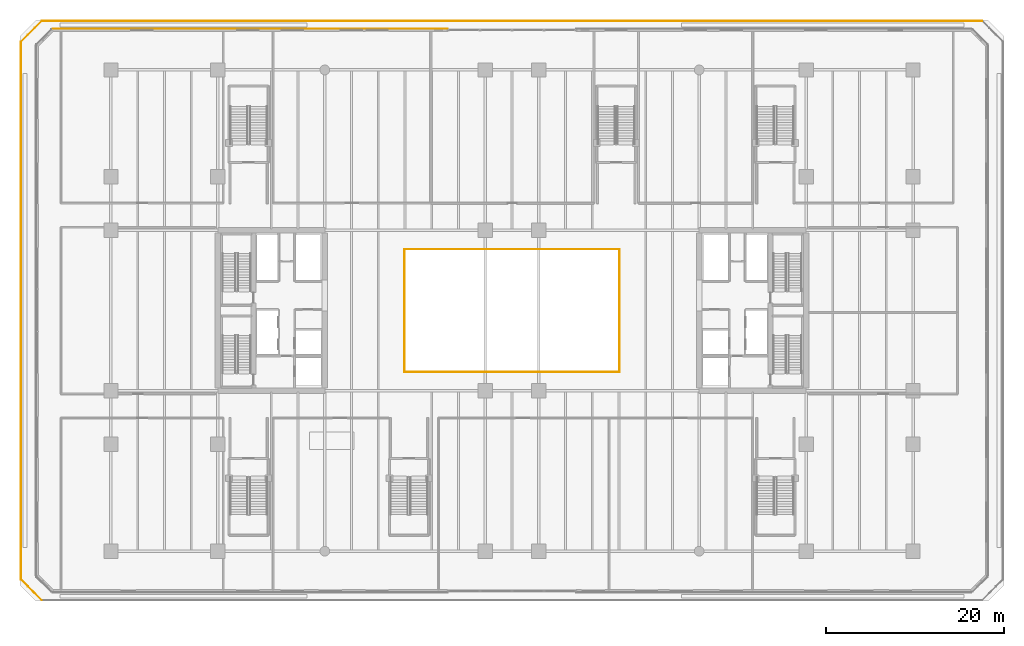
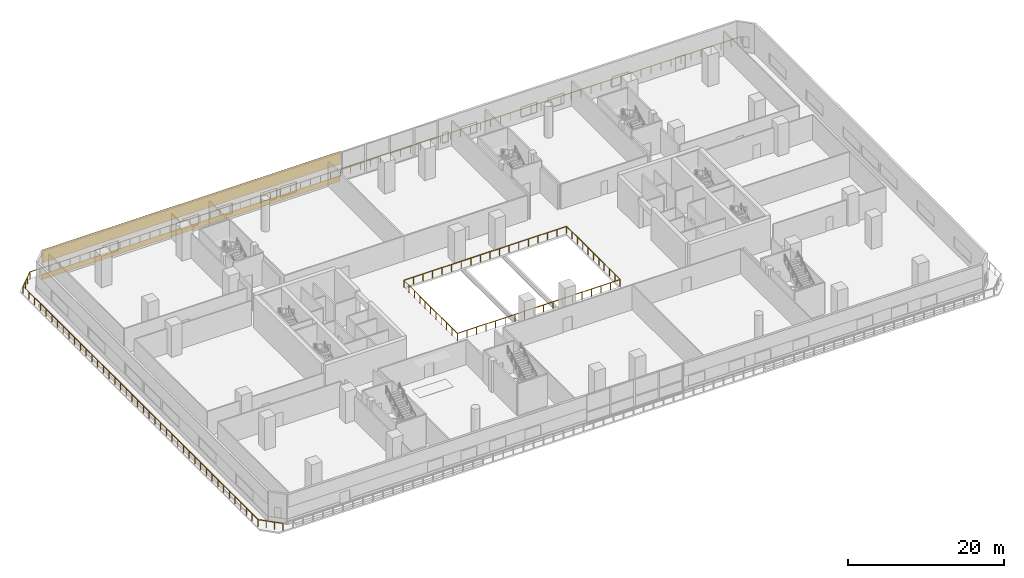
# One storey, part 23 of 27: 3 railings, 2 coverings.
"""IFC4 building model written with IfcOpenShell, lengths in metres."""

from ifc_helpers import new_model, si_unit, direction, frame, origin, origin_2d, place, context, subcontext, project, spatial, rectangle, extrude, material, layer, layer_set, type_object, element, save


model = new_model("IFC4")

# Units and contexts
model_context = context("Model", 3, precision=1e-05, world=origin(), true_north=direction((0.0, 1.0)))
body_context = subcontext(model_context, "Body", "Model", "MODEL_VIEW")
ifc_project = project(units=[si_unit("LENGTHUNIT", "METRE"), si_unit("AREAUNIT", "SQUARE_METRE"), si_unit("VOLUMEUNIT", "CUBIC_METRE"), si_unit("PLANEANGLEUNIT", "RADIAN"), si_unit("MASSUNIT", "GRAM", prefix="KILO")], contexts=[model_context])

# Site, building, storey
site_placement = place(None, origin())
site = spatial("IfcSite", under=ifc_project, at=site_placement, CompositionType="ELEMENT")
building_placement = place(site_placement, origin())
building = spatial("IfcBuilding", under=site, at=building_placement, Name="Tanjung Sevakor Pilgrim Tower", CompositionType="ELEMENT")
storey_placement = place(building_placement, frame((0.0, 0.0, 9.89990234375)))
storey = spatial("IfcBuildingStorey", under=building, at=storey_placement, Name="L03", CompositionType="ELEMENT", Elevation=9.89990234375)

# Coverings
ifc_material_1 = material(Name="Reconstructed Limestone Cladding", Category="masonry")
ifc_layer = layer(ifc_material_1, 0.044921875)
ifc_layer_set = layer_set([ifc_layer], Name="COV-CLAD-LIMESTONE")
covering_type = type_object("IfcCoveringType", Name="COV-CLAD-LIMESTONE", PredefinedType="CLADDING", material=ifc_layer_set)
covering_1_placement = place(storey_placement, frame((27.631103515625, 65.222412109375, 0.01025390625), z_axis=(0.0, 0.0, 1.0), x_axis=(-1.0, 0.0, 0.0)))
element("IfcCovering", 1, at=covering_1_placement, inside=storey, type_object=covering_type, Name="L03 Warm Limestone Sill Spandrel EW-L03-N2-1", PredefinedType="CLADDING", context=body_context, shape_type="SweptSolid", body=[
    extrude(rectangle(XDim=44.2578125, YDim=0.044921875, at=origin_2d()), origin(), (0.0, 0.0, 1.0), 0.840087890625),
])
covering_2_placement = place(storey_placement, frame((27.631103515625, 65.222412109375, 2.66015625), z_axis=(0.0, 0.0, 1.0), x_axis=(-1.0, 0.0, 0.0)))
element("IfcCovering", 2, at=covering_2_placement, inside=storey, type_object=covering_type, Name="L03 Warm Limestone Cornice Spandrel EW-L03-N2", PredefinedType="CLADDING", context=body_context, shape_type="SweptSolid", body=[
    extrude(rectangle(XDim=44.2978515625, YDim=0.044921875, at=origin_2d()), origin(), (0.0, 0.0, 1.0), 2.0),
])

# Railings
ifc_material_2 = material(Name="Laminated Glass and Aluminium", Category="aluminium")
railing_type_1 = type_object("IfcRailingType", Name="RL-BAL-BALUST", PredefinedType="BALUSTRADE", material=ifc_material_2)
railing_1_placement = place(storey_placement, frame((44.919921875, 26.719970703125, 0.0)))
element("IfcRailing", 3, at=railing_1_placement, inside=storey, type_object=railing_type_1, Name="L03 Void Opening Balustrade 1A", PredefinedType="BALUSTRADE", context=body_context, shape_type="SweptSolid", body=[
    extrude(rectangle(XDim=0.0479, YDim=0.0479), frame((0.0, 0.0, 1.1259765625), z_axis=(1.0, 0.0, 0.0), x_axis=(0.0, 1.0, 0.0)), (0.0, 0.0, 1.0), 24.16015625),
    extrude(rectangle(XDim=0.0479, YDim=0.0479), frame((24.16015625, 0.0, 1.1259765625), z_axis=(0.0, 1.0, 0.0), x_axis=(-1.0, 0.0, 0.0)), (0.0, 0.0, 1.0), 13.760009765625),
    extrude(rectangle(XDim=0.042, YDim=0.042), origin(), (0.0, 0.0, 1.0), 1.101806640625),
    extrude(rectangle(XDim=0.042, YDim=0.042), frame((1.421142578125, 0.0, 0.0)), (0.0, 0.0, 1.0), 1.101806640625),
    extrude(rectangle(XDim=0.042, YDim=0.042), frame((2.84228515625, 0.0, 0.0)), (0.0, 0.0, 1.0), 1.101806640625),
    extrude(rectangle(XDim=0.042, YDim=0.042), frame((4.263671875, 0.0, 0.0)), (0.0, 0.0, 1.0), 1.101806640625),
    extrude(rectangle(XDim=0.042, YDim=0.042), frame((5.684814453125, 0.0, 0.0)), (0.0, 0.0, 1.0), 1.101806640625),
    extrude(rectangle(XDim=0.042, YDim=0.042), frame((7.10595703125, 0.0, 0.0)), (0.0, 0.0, 1.0), 1.101806640625),
    extrude(rectangle(XDim=0.042, YDim=0.042), frame((8.527099609375, 0.0, 0.0)), (0.0, 0.0, 1.0), 1.101806640625),
    extrude(rectangle(XDim=0.042, YDim=0.042), frame((9.9482421875, 0.0, 0.0)), (0.0, 0.0, 1.0), 1.101806640625),
    extrude(rectangle(XDim=0.042, YDim=0.042), frame((11.369384765625, 0.0, 0.0)), (0.0, 0.0, 1.0), 1.101806640625),
    extrude(rectangle(XDim=0.042, YDim=0.042), frame((12.790771484375, 0.0, 0.0)), (0.0, 0.0, 1.0), 1.101806640625),
    extrude(rectangle(XDim=0.042, YDim=0.042), frame((14.2119140625, 0.0, 0.0)), (0.0, 0.0, 1.0), 1.101806640625),
    extrude(rectangle(XDim=0.042, YDim=0.042), frame((15.633056640625, 0.0, 0.0)), (0.0, 0.0, 1.0), 1.101806640625),
    extrude(rectangle(XDim=0.042, YDim=0.042), frame((17.05419921875, 0.0, 0.0)), (0.0, 0.0, 1.0), 1.101806640625),
    extrude(rectangle(XDim=0.042, YDim=0.042), frame((18.475341796875, 0.0, 0.0)), (0.0, 0.0, 1.0), 1.101806640625),
    extrude(rectangle(XDim=0.042, YDim=0.042), frame((19.896484375, 0.0, 0.0)), (0.0, 0.0, 1.0), 1.101806640625),
    extrude(rectangle(XDim=0.042, YDim=0.042), frame((21.31787109375, 0.0, 0.0)), (0.0, 0.0, 1.0), 1.101806640625),
    extrude(rectangle(XDim=0.042, YDim=0.042), frame((22.739013671875, 0.0, 0.0)), (0.0, 0.0, 1.0), 1.101806640625),
    extrude(rectangle(XDim=0.042, YDim=0.042), frame((24.16015625, 0.0, 0.0)), (0.0, 0.0, 1.0), 1.101806640625),
    extrude(rectangle(XDim=0.042, YDim=0.042), frame((24.16015625, 1.3759765625, 0.0)), (0.0, 0.0, 1.0), 1.101806640625),
    extrude(rectangle(XDim=0.042, YDim=0.042), frame((24.16015625, 2.751953125, 0.0)), (0.0, 0.0, 1.0), 1.101806640625),
    extrude(rectangle(XDim=0.042, YDim=0.042), frame((24.16015625, 4.1279296875, 0.0)), (0.0, 0.0, 1.0), 1.101806640625),
    extrude(rectangle(XDim=0.042, YDim=0.042), frame((24.16015625, 5.50390625, 0.0)), (0.0, 0.0, 1.0), 1.101806640625),
    extrude(rectangle(XDim=0.042, YDim=0.042), frame((24.16015625, 6.8798828125, 0.0)), (0.0, 0.0, 1.0), 1.101806640625),
    extrude(rectangle(XDim=0.042, YDim=0.042), frame((24.16015625, 8.256103515625, 0.0)), (0.0, 0.0, 1.0), 1.101806640625),
    extrude(rectangle(XDim=0.042, YDim=0.042), frame((24.16015625, 9.632080078125, 0.0)), (0.0, 0.0, 1.0), 1.101806640625),
    extrude(rectangle(XDim=0.042, YDim=0.042), frame((24.16015625, 11.008056640625, 0.0)), (0.0, 0.0, 1.0), 1.101806640625),
    extrude(rectangle(XDim=0.042, YDim=0.042), frame((24.16015625, 12.384033203125, 0.0)), (0.0, 0.0, 1.0), 1.101806640625),
    extrude(rectangle(XDim=0.042, YDim=0.042), frame((24.16015625, 13.760009765625, 0.0)), (0.0, 0.0, 1.0), 1.101806640625),
])
railing_2_placement = place(storey_placement, frame((69.080078125, 40.47998046875, 0.0)))
element("IfcRailing", 4, at=railing_2_placement, inside=storey, type_object=railing_type_1, Name="L03 Void Opening Balustrade 1B", PredefinedType="BALUSTRADE", context=body_context, shape_type="SweptSolid", body=[
    extrude(rectangle(XDim=0.0479, YDim=0.0479), frame((0.0, 0.0, 1.1259765625), z_axis=(-1.0, 0.0, 0.0), x_axis=(0.0, -1.0, 0.0)), (0.0, 0.0, 1.0), 24.16015625),
    extrude(rectangle(XDim=0.0479, YDim=0.0479), frame((-24.16015625, 0.0, 1.1259765625), z_axis=(0.0, -1.0, 0.0), x_axis=(1.0, 0.0, 0.0)), (0.0, 0.0, 1.0), 13.760009765625),
    extrude(rectangle(XDim=0.042, YDim=0.042), origin(), (0.0, 0.0, 1.0), 1.101806640625),
    extrude(rectangle(XDim=0.042, YDim=0.042), frame((-1.421142578125, 0.0, 0.0)), (0.0, 0.0, 1.0), 1.101806640625),
    extrude(rectangle(XDim=0.042, YDim=0.042), frame((-2.84228515625, 0.0, 0.0)), (0.0, 0.0, 1.0), 1.101806640625),
    extrude(rectangle(XDim=0.042, YDim=0.042), frame((-4.263671875, 0.0, 0.0)), (0.0, 0.0, 1.0), 1.101806640625),
    extrude(rectangle(XDim=0.042, YDim=0.042), frame((-5.684814453125, 0.0, 0.0)), (0.0, 0.0, 1.0), 1.101806640625),
    extrude(rectangle(XDim=0.042, YDim=0.042), frame((-7.10595703125, 0.0, 0.0)), (0.0, 0.0, 1.0), 1.101806640625),
    extrude(rectangle(XDim=0.042, YDim=0.042), frame((-8.527099609375, 0.0, 0.0)), (0.0, 0.0, 1.0), 1.101806640625),
    extrude(rectangle(XDim=0.042, YDim=0.042), frame((-9.9482421875, 0.0, 0.0)), (0.0, 0.0, 1.0), 1.101806640625),
    extrude(rectangle(XDim=0.042, YDim=0.042), frame((-11.369384765625, 0.0, 0.0)), (0.0, 0.0, 1.0), 1.101806640625),
    extrude(rectangle(XDim=0.042, YDim=0.042), frame((-12.790771484375, 0.0, 0.0)), (0.0, 0.0, 1.0), 1.101806640625),
    extrude(rectangle(XDim=0.042, YDim=0.042), frame((-14.2119140625, 0.0, 0.0)), (0.0, 0.0, 1.0), 1.101806640625),
    extrude(rectangle(XDim=0.042, YDim=0.042), frame((-15.633056640625, 0.0, 0.0)), (0.0, 0.0, 1.0), 1.101806640625),
    extrude(rectangle(XDim=0.042, YDim=0.042), frame((-17.05419921875, 0.0, 0.0)), (0.0, 0.0, 1.0), 1.101806640625),
    extrude(rectangle(XDim=0.042, YDim=0.042), frame((-18.475341796875, 0.0, 0.0)), (0.0, 0.0, 1.0), 1.101806640625),
    extrude(rectangle(XDim=0.042, YDim=0.042), frame((-19.896484375, 0.0, 0.0)), (0.0, 0.0, 1.0), 1.101806640625),
    extrude(rectangle(XDim=0.042, YDim=0.042), frame((-21.31787109375, 0.0, 0.0)), (0.0, 0.0, 1.0), 1.101806640625),
    extrude(rectangle(XDim=0.042, YDim=0.042), frame((-22.739013671875, 0.0, 0.0)), (0.0, 0.0, 1.0), 1.101806640625),
    extrude(rectangle(XDim=0.042, YDim=0.042), frame((-24.16015625, 0.0, 0.0)), (0.0, 0.0, 1.0), 1.101806640625),
    extrude(rectangle(XDim=0.042, YDim=0.042), frame((-24.16015625, -1.3759765625, 0.0)), (0.0, 0.0, 1.0), 1.101806640625),
    extrude(rectangle(XDim=0.042, YDim=0.042), frame((-24.16015625, -2.751953125, 0.0)), (0.0, 0.0, 1.0), 1.101806640625),
    extrude(rectangle(XDim=0.042, YDim=0.042), frame((-24.16015625, -4.1279296875, 0.0)), (0.0, 0.0, 1.0), 1.101806640625),
    extrude(rectangle(XDim=0.042, YDim=0.042), frame((-24.16015625, -5.50390625, 0.0)), (0.0, 0.0, 1.0), 1.101806640625),
    extrude(rectangle(XDim=0.042, YDim=0.042), frame((-24.16015625, -6.8798828125, 0.0)), (0.0, 0.0, 1.0), 1.101806640625),
    extrude(rectangle(XDim=0.042, YDim=0.042), frame((-24.16015625, -8.256103515625, 0.0)), (0.0, 0.0, 1.0), 1.101806640625),
    extrude(rectangle(XDim=0.042, YDim=0.042), frame((-24.16015625, -9.632080078125, 0.0)), (0.0, 0.0, 1.0), 1.101806640625),
    extrude(rectangle(XDim=0.042, YDim=0.042), frame((-24.16015625, -11.008056640625, 0.0)), (0.0, 0.0, 1.0), 1.101806640625),
    extrude(rectangle(XDim=0.042, YDim=0.042), frame((-24.16015625, -12.384033203125, 0.0)), (0.0, 0.0, 1.0), 1.101806640625),
    extrude(rectangle(XDim=0.042, YDim=0.042), frame((-24.16015625, -13.760009765625, 0.0)), (0.0, 0.0, 1.0), 1.101806640625),
])
ifc_material_3 = material(Name="Steel S355J2", Category="steel")
railing_type_2 = type_object("IfcRailingType", Name="RL-EXT-GUARD", PredefinedType="GUARDRAIL", material=ifc_material_3)
railing_3_placement = place(storey_placement, frame((109.758544921875, 66.10009765625, 0.0)))
element("IfcRailing", 5, at=railing_3_placement, inside=storey, type_object=railing_type_2, Name="L03 Terrace Perimeter Guardrail GR-PODTER-L03-2", PredefinedType="GUARDRAIL", context=body_context, shape_type="SweptSolid", body=[
    extrude(rectangle(XDim=0.0479, YDim=0.0479), frame((0.0, 0.0, 1.1259765625), z_axis=(-1.0, 0.0, 0.0), x_axis=(0.0, -1.0, 0.0)), (0.0, 0.0, 1.0), 105.51708984375),
    extrude(rectangle(XDim=0.0479, YDim=0.0479), frame((-105.51708984375, 0.0, 1.1259765625), z_axis=(-0.707106781187, -0.707106781187, 0.0), x_axis=(0.707106781187, -0.707106781187, 0.0)), (0.0, 0.0, 1.0), 3.3115234375),
    extrude(rectangle(XDim=0.0479, YDim=0.0479), frame((-107.858642578125, -2.341552734375, 1.1259765625), z_axis=(0.0, -1.0, 0.0), x_axis=(1.0, 0.0, 0.0)), (0.0, 0.0, 1.0), 60.317138671875),
    extrude(rectangle(XDim=0.0479, YDim=0.0479), frame((-107.858642578125, -62.65869140625, 1.1259765625), z_axis=(0.707143645185, -0.707069915266, 0.0), x_axis=(0.707069915266, 0.707143645185, 0.0)), (0.0, 0.0, 1.0), 3.311279296875),
    extrude(rectangle(XDim=0.042, YDim=0.042), origin(), (0.0, 0.0, 1.0), 1.101806640625),
    extrude(rectangle(XDim=0.042, YDim=0.042), frame((-1.486083984375, 0.0, 0.0)), (0.0, 0.0, 1.0), 1.101806640625),
    extrude(rectangle(XDim=0.042, YDim=0.042), frame((-2.972412109375, 0.0, 0.0)), (0.0, 0.0, 1.0), 1.101806640625),
    extrude(rectangle(XDim=0.042, YDim=0.042), frame((-4.45849609375, 0.0, 0.0)), (0.0, 0.0, 1.0), 1.101806640625),
    extrude(rectangle(XDim=0.042, YDim=0.042), frame((-5.944580078125, 0.0, 0.0)), (0.0, 0.0, 1.0), 1.101806640625),
    extrude(rectangle(XDim=0.042, YDim=0.042), frame((-7.4306640625, 0.0, 0.0)), (0.0, 0.0, 1.0), 1.101806640625),
    extrude(rectangle(XDim=0.042, YDim=0.042), frame((-8.9169921875, 0.0, 0.0)), (0.0, 0.0, 1.0), 1.101806640625),
    extrude(rectangle(XDim=0.042, YDim=0.042), frame((-10.403076171875, 0.0, 0.0)), (0.0, 0.0, 1.0), 1.101806640625),
    extrude(rectangle(XDim=0.042, YDim=0.042), frame((-11.88916015625, 0.0, 0.0)), (0.0, 0.0, 1.0), 1.101806640625),
    extrude(rectangle(XDim=0.042, YDim=0.042), frame((-13.37548828125, 0.0, 0.0)), (0.0, 0.0, 1.0), 1.101806640625),
    extrude(rectangle(XDim=0.042, YDim=0.042), frame((-14.861572265625, 0.0, 0.0)), (0.0, 0.0, 1.0), 1.101806640625),
    extrude(rectangle(XDim=0.042, YDim=0.042), frame((-16.34765625, 0.0, 0.0)), (0.0, 0.0, 1.0), 1.101806640625),
    extrude(rectangle(XDim=0.042, YDim=0.042), frame((-17.833984375, 0.0, 0.0)), (0.0, 0.0, 1.0), 1.101806640625),
    extrude(rectangle(XDim=0.042, YDim=0.042), frame((-19.320068359375, 0.0, 0.0)), (0.0, 0.0, 1.0), 1.101806640625),
    extrude(rectangle(XDim=0.042, YDim=0.042), frame((-20.80615234375, 0.0, 0.0)), (0.0, 0.0, 1.0), 1.101806640625),
    extrude(rectangle(XDim=0.042, YDim=0.042), frame((-22.292236328125, 0.0, 0.0)), (0.0, 0.0, 1.0), 1.101806640625),
    extrude(rectangle(XDim=0.042, YDim=0.042), frame((-23.778564453125, 0.0, 0.0)), (0.0, 0.0, 1.0), 1.101806640625),
    extrude(rectangle(XDim=0.042, YDim=0.042), frame((-25.2646484375, 0.0, 0.0)), (0.0, 0.0, 1.0), 1.101806640625),
    extrude(rectangle(XDim=0.042, YDim=0.042), frame((-26.750732421875, 0.0, 0.0)), (0.0, 0.0, 1.0), 1.101806640625),
    extrude(rectangle(XDim=0.042, YDim=0.042), frame((-28.237060546875, 0.0, 0.0)), (0.0, 0.0, 1.0), 1.101806640625),
    extrude(rectangle(XDim=0.042, YDim=0.042), frame((-29.72314453125, 0.0, 0.0)), (0.0, 0.0, 1.0), 1.101806640625),
    extrude(rectangle(XDim=0.042, YDim=0.042), frame((-31.209228515625, 0.0, 0.0)), (0.0, 0.0, 1.0), 1.101806640625),
    extrude(rectangle(XDim=0.042, YDim=0.042), frame((-32.695556640625, 0.0, 0.0)), (0.0, 0.0, 1.0), 1.101806640625),
    extrude(rectangle(XDim=0.042, YDim=0.042), frame((-34.181640625, 0.0, 0.0)), (0.0, 0.0, 1.0), 1.101806640625),
    extrude(rectangle(XDim=0.042, YDim=0.042), frame((-35.667724609375, 0.0, 0.0)), (0.0, 0.0, 1.0), 1.101806640625),
    extrude(rectangle(XDim=0.042, YDim=0.042), frame((-37.15380859375, 0.0, 0.0)), (0.0, 0.0, 1.0), 1.101806640625),
    extrude(rectangle(XDim=0.042, YDim=0.042), frame((-38.64013671875, 0.0, 0.0)), (0.0, 0.0, 1.0), 1.101806640625),
    extrude(rectangle(XDim=0.042, YDim=0.042), frame((-40.126220703125, 0.0, 0.0)), (0.0, 0.0, 1.0), 1.101806640625),
    extrude(rectangle(XDim=0.042, YDim=0.042), frame((-41.6123046875, 0.0, 0.0)), (0.0, 0.0, 1.0), 1.101806640625),
    extrude(rectangle(XDim=0.042, YDim=0.042), frame((-43.0986328125, 0.0, 0.0)), (0.0, 0.0, 1.0), 1.101806640625),
    extrude(rectangle(XDim=0.042, YDim=0.042), frame((-44.584716796875, 0.0, 0.0)), (0.0, 0.0, 1.0), 1.101806640625),
    extrude(rectangle(XDim=0.042, YDim=0.042), frame((-46.07080078125, 0.0, 0.0)), (0.0, 0.0, 1.0), 1.101806640625),
    extrude(rectangle(XDim=0.042, YDim=0.042), frame((-47.556884765625, 0.0, 0.0)), (0.0, 0.0, 1.0), 1.101806640625),
    extrude(rectangle(XDim=0.042, YDim=0.042), frame((-49.043212890625, 0.0, 0.0)), (0.0, 0.0, 1.0), 1.101806640625),
    extrude(rectangle(XDim=0.042, YDim=0.042), frame((-50.529296875, 0.0, 0.0)), (0.0, 0.0, 1.0), 1.101806640625),
    extrude(rectangle(XDim=0.042, YDim=0.042), frame((-52.015380859375, 0.0, 0.0)), (0.0, 0.0, 1.0), 1.101806640625),
    extrude(rectangle(XDim=0.042, YDim=0.042), frame((-53.501708984375, 0.0, 0.0)), (0.0, 0.0, 1.0), 1.101806640625),
    extrude(rectangle(XDim=0.042, YDim=0.042), frame((-54.98779296875, 0.0, 0.0)), (0.0, 0.0, 1.0), 1.101806640625),
    extrude(rectangle(XDim=0.042, YDim=0.042), frame((-56.473876953125, 0.0, 0.0)), (0.0, 0.0, 1.0), 1.101806640625),
    extrude(rectangle(XDim=0.042, YDim=0.042), frame((-57.960205078125, 0.0, 0.0)), (0.0, 0.0, 1.0), 1.101806640625),
    extrude(rectangle(XDim=0.042, YDim=0.042), frame((-59.4462890625, 0.0, 0.0)), (0.0, 0.0, 1.0), 1.101806640625),
    extrude(rectangle(XDim=0.042, YDim=0.042), frame((-60.932373046875, 0.0, 0.0)), (0.0, 0.0, 1.0), 1.101806640625),
    extrude(rectangle(XDim=0.042, YDim=0.042), frame((-62.41845703125, 0.0, 0.0)), (0.0, 0.0, 1.0), 1.101806640625),
    extrude(rectangle(XDim=0.042, YDim=0.042), frame((-63.90478515625, 0.0, 0.0)), (0.0, 0.0, 1.0), 1.101806640625),
    extrude(rectangle(XDim=0.042, YDim=0.042), frame((-65.390869140625, 0.0, 0.0)), (0.0, 0.0, 1.0), 1.101806640625),
    extrude(rectangle(XDim=0.042, YDim=0.042), frame((-66.876953125, 0.0, 0.0)), (0.0, 0.0, 1.0), 1.101806640625),
    extrude(rectangle(XDim=0.042, YDim=0.042), frame((-68.36328125, 0.0, 0.0)), (0.0, 0.0, 1.0), 1.101806640625),
    extrude(rectangle(XDim=0.042, YDim=0.042), frame((-69.849365234375, 0.0, 0.0)), (0.0, 0.0, 1.0), 1.101806640625),
    extrude(rectangle(XDim=0.042, YDim=0.042), frame((-71.33544921875, 0.0, 0.0)), (0.0, 0.0, 1.0), 1.101806640625),
    extrude(rectangle(XDim=0.042, YDim=0.042), frame((-72.821533203125, 0.0, 0.0)), (0.0, 0.0, 1.0), 1.101806640625),
    extrude(rectangle(XDim=0.042, YDim=0.042), frame((-74.307861328125, 0.0, 0.0)), (0.0, 0.0, 1.0), 1.101806640625),
    extrude(rectangle(XDim=0.042, YDim=0.042), frame((-75.7939453125, 0.0, 0.0)), (0.0, 0.0, 1.0), 1.101806640625),
    extrude(rectangle(XDim=0.042, YDim=0.042), frame((-77.280029296875, 0.0, 0.0)), (0.0, 0.0, 1.0), 1.101806640625),
    extrude(rectangle(XDim=0.042, YDim=0.042), frame((-78.766357421875, 0.0, 0.0)), (0.0, 0.0, 1.0), 1.101806640625),
    extrude(rectangle(XDim=0.042, YDim=0.042), frame((-80.25244140625, 0.0, 0.0)), (0.0, 0.0, 1.0), 1.101806640625),
    extrude(rectangle(XDim=0.042, YDim=0.042), frame((-81.738525390625, 0.0, 0.0)), (0.0, 0.0, 1.0), 1.101806640625),
    extrude(rectangle(XDim=0.042, YDim=0.042), frame((-83.224853515625, 0.0, 0.0)), (0.0, 0.0, 1.0), 1.101806640625),
    extrude(rectangle(XDim=0.042, YDim=0.042), frame((-84.7109375, 0.0, 0.0)), (0.0, 0.0, 1.0), 1.101806640625),
    extrude(rectangle(XDim=0.042, YDim=0.042), frame((-86.197021484375, 0.0, 0.0)), (0.0, 0.0, 1.0), 1.101806640625),
    extrude(rectangle(XDim=0.042, YDim=0.042), frame((-87.68310546875, 0.0, 0.0)), (0.0, 0.0, 1.0), 1.101806640625),
    extrude(rectangle(XDim=0.042, YDim=0.042), frame((-89.16943359375, 0.0, 0.0)), (0.0, 0.0, 1.0), 1.101806640625),
    extrude(rectangle(XDim=0.042, YDim=0.042), frame((-90.655517578125, 0.0, 0.0)), (0.0, 0.0, 1.0), 1.101806640625),
    extrude(rectangle(XDim=0.042, YDim=0.042), frame((-92.1416015625, 0.0, 0.0)), (0.0, 0.0, 1.0), 1.101806640625),
    extrude(rectangle(XDim=0.042, YDim=0.042), frame((-93.6279296875, 0.0, 0.0)), (0.0, 0.0, 1.0), 1.101806640625),
    extrude(rectangle(XDim=0.042, YDim=0.042), frame((-95.114013671875, 0.0, 0.0)), (0.0, 0.0, 1.0), 1.101806640625),
    extrude(rectangle(XDim=0.042, YDim=0.042), frame((-96.60009765625, 0.0, 0.0)), (0.0, 0.0, 1.0), 1.101806640625),
    extrude(rectangle(XDim=0.042, YDim=0.042), frame((-98.08642578125, 0.0, 0.0)), (0.0, 0.0, 1.0), 1.101806640625),
    extrude(rectangle(XDim=0.042, YDim=0.042), frame((-99.572509765625, 0.0, 0.0)), (0.0, 0.0, 1.0), 1.101806640625),
    extrude(rectangle(XDim=0.042, YDim=0.042), frame((-101.05859375, 0.0, 0.0)), (0.0, 0.0, 1.0), 1.101806640625),
    extrude(rectangle(XDim=0.042, YDim=0.042), frame((-102.544677734375, 0.0, 0.0)), (0.0, 0.0, 1.0), 1.101806640625),
    extrude(rectangle(XDim=0.042, YDim=0.042), frame((-104.031005859375, 0.0, 0.0)), (0.0, 0.0, 1.0), 1.101806640625),
    extrude(rectangle(XDim=0.042, YDim=0.042), frame((-105.51708984375, 0.0, 0.0)), (0.0, 0.0, 1.0), 1.101806640625),
    extrude(rectangle(XDim=0.042, YDim=0.042), frame((-106.297607421875, -0.780517578125, 0.0)), (0.0, 0.0, 1.0), 1.101806640625),
    extrude(rectangle(XDim=0.042, YDim=0.042), frame((-107.078125, -1.56103515625, 0.0)), (0.0, 0.0, 1.0), 1.101806640625),
    extrude(rectangle(XDim=0.042, YDim=0.042), frame((-107.858642578125, -2.341552734375, 0.0)), (0.0, 0.0, 1.0), 1.101806640625),
    extrude(rectangle(XDim=0.042, YDim=0.042), frame((-107.858642578125, -3.812744140625, 0.0)), (0.0, 0.0, 1.0), 1.101806640625),
    extrude(rectangle(XDim=0.042, YDim=0.042), frame((-107.858642578125, -5.283935546875, 0.0)), (0.0, 0.0, 1.0), 1.101806640625),
    extrude(rectangle(XDim=0.042, YDim=0.042), frame((-107.858642578125, -6.7548828125, 0.0)), (0.0, 0.0, 1.0), 1.101806640625),
    extrude(rectangle(XDim=0.042, YDim=0.042), frame((-107.858642578125, -8.22607421875, 0.0)), (0.0, 0.0, 1.0), 1.101806640625),
    extrude(rectangle(XDim=0.042, YDim=0.042), frame((-107.858642578125, -9.697265625, 0.0)), (0.0, 0.0, 1.0), 1.101806640625),
    extrude(rectangle(XDim=0.042, YDim=0.042), frame((-107.858642578125, -11.16845703125, 0.0)), (0.0, 0.0, 1.0), 1.101806640625),
    extrude(rectangle(XDim=0.042, YDim=0.042), frame((-107.858642578125, -12.6396484375, 0.0)), (0.0, 0.0, 1.0), 1.101806640625),
    extrude(rectangle(XDim=0.042, YDim=0.042), frame((-107.858642578125, -14.11083984375, 0.0)), (0.0, 0.0, 1.0), 1.101806640625),
    extrude(rectangle(XDim=0.042, YDim=0.042), frame((-107.858642578125, -15.581787109375, 0.0)), (0.0, 0.0, 1.0), 1.101806640625),
    extrude(rectangle(XDim=0.042, YDim=0.042), frame((-107.858642578125, -17.052978515625, 0.0)), (0.0, 0.0, 1.0), 1.101806640625),
    extrude(rectangle(XDim=0.042, YDim=0.042), frame((-107.858642578125, -18.524169921875, 0.0)), (0.0, 0.0, 1.0), 1.101806640625),
    extrude(rectangle(XDim=0.042, YDim=0.042), frame((-107.858642578125, -19.995361328125, 0.0)), (0.0, 0.0, 1.0), 1.101806640625),
    extrude(rectangle(XDim=0.042, YDim=0.042), frame((-107.858642578125, -21.466552734375, 0.0)), (0.0, 0.0, 1.0), 1.101806640625),
    extrude(rectangle(XDim=0.042, YDim=0.042), frame((-107.858642578125, -22.937744140625, 0.0)), (0.0, 0.0, 1.0), 1.101806640625),
    extrude(rectangle(XDim=0.042, YDim=0.042), frame((-107.858642578125, -24.40869140625, 0.0)), (0.0, 0.0, 1.0), 1.101806640625),
    extrude(rectangle(XDim=0.042, YDim=0.042), frame((-107.858642578125, -25.8798828125, 0.0)), (0.0, 0.0, 1.0), 1.101806640625),
    extrude(rectangle(XDim=0.042, YDim=0.042), frame((-107.858642578125, -27.35107421875, 0.0)), (0.0, 0.0, 1.0), 1.101806640625),
    extrude(rectangle(XDim=0.042, YDim=0.042), frame((-107.858642578125, -28.822265625, 0.0)), (0.0, 0.0, 1.0), 1.101806640625),
    extrude(rectangle(XDim=0.042, YDim=0.042), frame((-107.858642578125, -30.29345703125, 0.0)), (0.0, 0.0, 1.0), 1.101806640625),
    extrude(rectangle(XDim=0.042, YDim=0.042), frame((-107.858642578125, -31.7646484375, 0.0)), (0.0, 0.0, 1.0), 1.101806640625),
    extrude(rectangle(XDim=0.042, YDim=0.042), frame((-107.858642578125, -33.235595703125, 0.0)), (0.0, 0.0, 1.0), 1.101806640625),
    extrude(rectangle(XDim=0.042, YDim=0.042), frame((-107.858642578125, -34.706787109375, 0.0)), (0.0, 0.0, 1.0), 1.101806640625),
    extrude(rectangle(XDim=0.042, YDim=0.042), frame((-107.858642578125, -36.177978515625, 0.0)), (0.0, 0.0, 1.0), 1.101806640625),
    extrude(rectangle(XDim=0.042, YDim=0.042), frame((-107.858642578125, -37.649169921875, 0.0)), (0.0, 0.0, 1.0), 1.101806640625),
    extrude(rectangle(XDim=0.042, YDim=0.042), frame((-107.858642578125, -39.120361328125, 0.0)), (0.0, 0.0, 1.0), 1.101806640625),
    extrude(rectangle(XDim=0.042, YDim=0.042), frame((-107.858642578125, -40.591552734375, 0.0)), (0.0, 0.0, 1.0), 1.101806640625),
    extrude(rectangle(XDim=0.042, YDim=0.042), frame((-107.858642578125, -42.0625, 0.0)), (0.0, 0.0, 1.0), 1.101806640625),
    extrude(rectangle(XDim=0.042, YDim=0.042), frame((-107.858642578125, -43.53369140625, 0.0)), (0.0, 0.0, 1.0), 1.101806640625),
    extrude(rectangle(XDim=0.042, YDim=0.042), frame((-107.858642578125, -45.0048828125, 0.0)), (0.0, 0.0, 1.0), 1.101806640625),
    extrude(rectangle(XDim=0.042, YDim=0.042), frame((-107.858642578125, -46.47607421875, 0.0)), (0.0, 0.0, 1.0), 1.101806640625),
    extrude(rectangle(XDim=0.042, YDim=0.042), frame((-107.858642578125, -47.947265625, 0.0)), (0.0, 0.0, 1.0), 1.101806640625),
    extrude(rectangle(XDim=0.042, YDim=0.042), frame((-107.858642578125, -49.41845703125, 0.0)), (0.0, 0.0, 1.0), 1.101806640625),
    extrude(rectangle(XDim=0.042, YDim=0.042), frame((-107.858642578125, -50.889404296875, 0.0)), (0.0, 0.0, 1.0), 1.101806640625),
    extrude(rectangle(XDim=0.042, YDim=0.042), frame((-107.858642578125, -52.360595703125, 0.0)), (0.0, 0.0, 1.0), 1.101806640625),
    extrude(rectangle(XDim=0.042, YDim=0.042), frame((-107.858642578125, -53.831787109375, 0.0)), (0.0, 0.0, 1.0), 1.101806640625),
    extrude(rectangle(XDim=0.042, YDim=0.042), frame((-107.858642578125, -55.302978515625, 0.0)), (0.0, 0.0, 1.0), 1.101806640625),
    extrude(rectangle(XDim=0.042, YDim=0.042), frame((-107.858642578125, -56.774169921875, 0.0)), (0.0, 0.0, 1.0), 1.101806640625),
    extrude(rectangle(XDim=0.042, YDim=0.042), frame((-107.858642578125, -58.245361328125, 0.0)), (0.0, 0.0, 1.0), 1.101806640625),
    extrude(rectangle(XDim=0.042, YDim=0.042), frame((-107.858642578125, -59.71630859375, 0.0)), (0.0, 0.0, 1.0), 1.101806640625),
    extrude(rectangle(XDim=0.042, YDim=0.042), frame((-107.858642578125, -61.1875, 0.0)), (0.0, 0.0, 1.0), 1.101806640625),
    extrude(rectangle(XDim=0.042, YDim=0.042), frame((-107.858642578125, -62.65869140625, 0.0)), (0.0, 0.0, 1.0), 1.101806640625),
    extrude(rectangle(XDim=0.042, YDim=0.042), frame((-107.078125, -63.439208984375, 0.0)), (0.0, 0.0, 1.0), 1.101806640625),
    extrude(rectangle(XDim=0.042, YDim=0.042), frame((-106.297607421875, -64.219482421875, 0.0)), (0.0, 0.0, 1.0), 1.101806640625),
    extrude(rectangle(XDim=0.042, YDim=0.042), frame((-105.51708984375, -65.0, 0.0)), (0.0, 0.0, 1.0), 1.101806640625),
])

save(model, "model.ifc")
